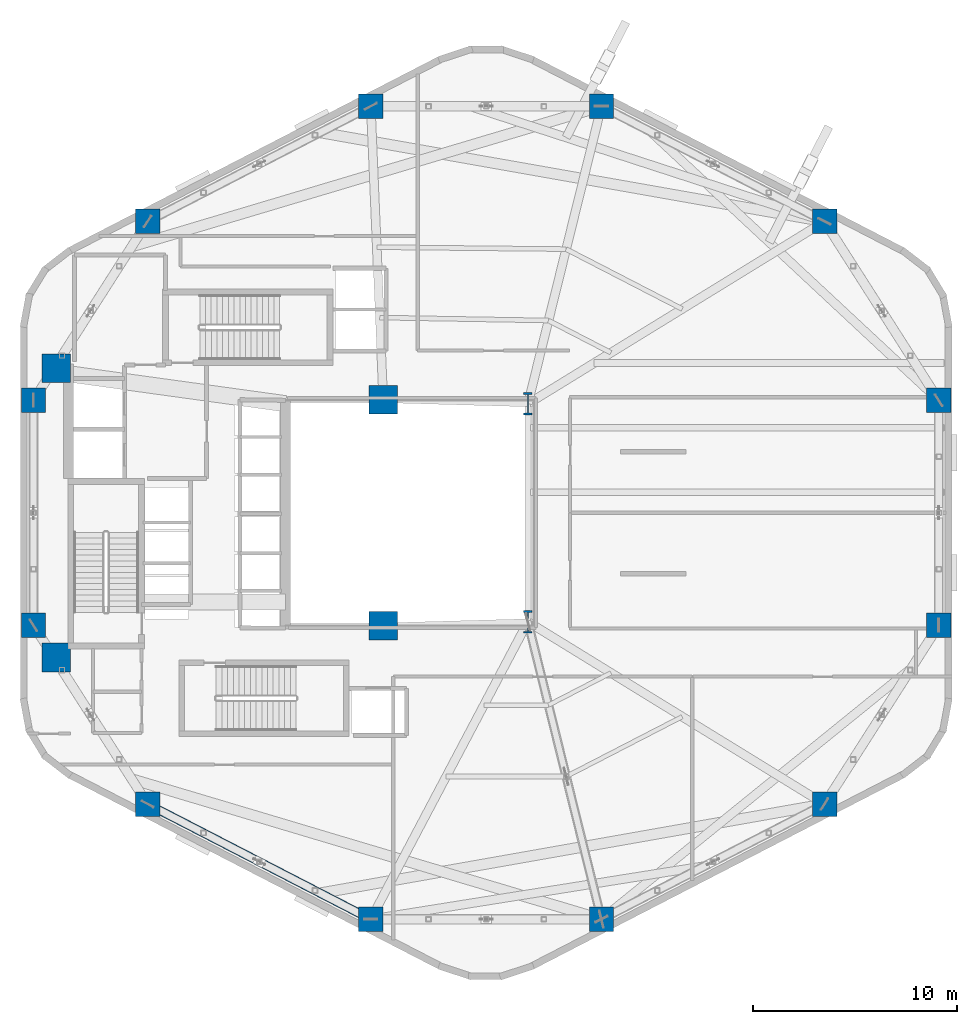
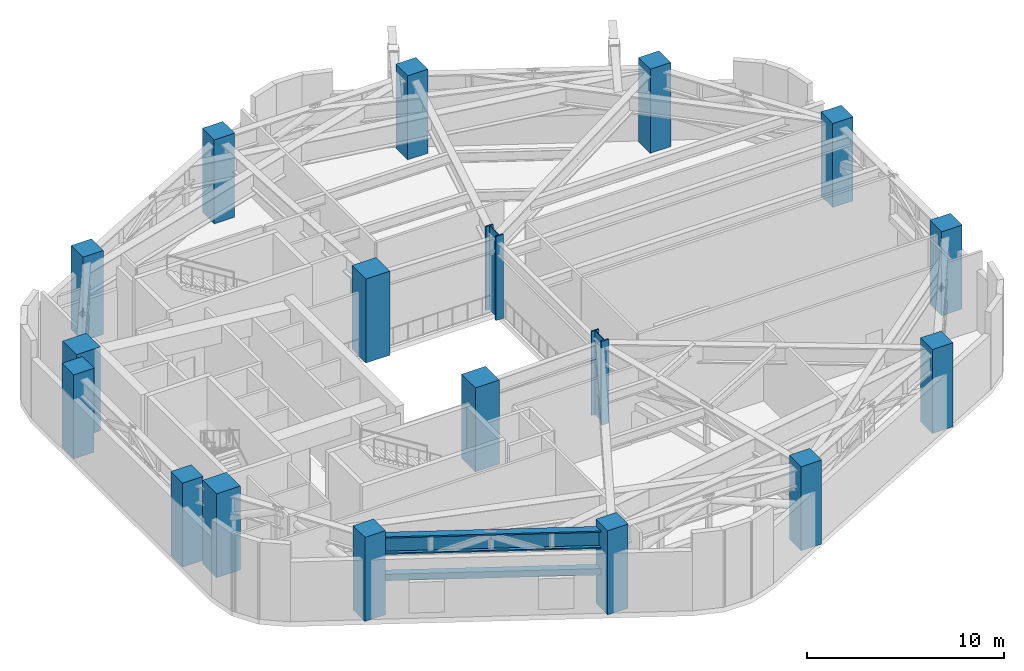
# One storey, part 1 of 14: 18 columns, 1 beam, 1 member.
"""IFC4 building model written with IfcOpenShell, lengths in metres."""

import ifcopenshell
import ifcopenshell.guid

model = None  # the IFC model being written
_history = None  # IfcOwnerHistory: only IFC2X3 demands one
_inside = {}  # id of a spatial element -> (the spatial element, [elements in it])
_under = {}  # id of a project, library or spatial element -> (it, [spatial elements below it])
_declared = {}  # id of a project -> (the project, [libraries it declares])
_typed = {}  # id of a type object -> (the type object, [elements of that type])
_made_of = {}  # id of a material, layer set ... -> (it, [elements and type objects made of it])


def new_model(schema):
    """Start an empty IFC model of exactly this schema.

    Asked for "IFC4X3", IfcOpenShell would pick the latest addendum, in which some entities
    have other attributes; the version numbers below select the first issue.
    IFC2X3 requires an IfcOwnerHistory on every rooted entity: one is made here for all.
    """
    global model, _history
    if schema == "IFC4X3":
        model = ifcopenshell.file(schema_version=(4, 3, 0, 0))
    else:
        model = ifcopenshell.file(schema=schema)
    _inside.clear()
    _under.clear()
    _declared.clear()
    _typed.clear()
    _made_of.clear()
    _history = None
    if model.schema == "IFC2X3":
        org = make("IfcOrganization", Name="unknown")
        user = make(
            "IfcPersonAndOrganization",
            ThePerson=make("IfcPerson", FamilyName="unknown"),
            TheOrganization=org,
        )
        app = make(
            "IfcApplication",
            ApplicationDeveloper=org,
            Version="unknown",
            ApplicationFullName="unknown",
            ApplicationIdentifier="unknown",
        )
        _history = make(
            "IfcOwnerHistory",
            OwningUser=user,
            OwningApplication=app,
            ChangeAction="ADDED",
            CreationDate=0,
        )
    return model


def make(cls, **values):
    """One entity of the class cls with the attributes given. An attribute that is None is left unset."""
    return model.create_entity(
        cls, **{name: value for name, value in values.items() if value is not None}
    )


def rooted(cls, **values):
    """An entity with a GlobalId (a new one), such as an element, a storey or a relation."""
    return make(cls, GlobalId=ifcopenshell.guid.new(), OwnerHistory=_history, **values)


def si_unit(unit_type, name, prefix=None):
    """IfcSIUnit, for example si_unit("LENGTHUNIT", "METRE", prefix="MILLI")."""
    return make("IfcSIUnit", UnitType=unit_type, Prefix=prefix, Name=name)


def assignment(units):
    """IfcUnitAssignment: the units of a project."""
    return None if units is None else make("IfcUnitAssignment", Units=units)


def point(xyz):
    """IfcCartesianPoint."""
    return None if xyz is None else make("IfcCartesianPoint", Coordinates=xyz)


def direction(xyz):
    """IfcDirection."""
    return None if xyz is None else make("IfcDirection", DirectionRatios=xyz)


def frame(location, z_axis=None, x_axis=None):
    """IfcAxis2Placement3D, a coordinate frame: its origin and axes. An axis left out is left unset."""
    return make(
        "IfcAxis2Placement3D",
        Location=point(location),
        Axis=direction(z_axis),
        RefDirection=direction(x_axis),
    )


def frame_2d(location, x_axis=None):
    """IfcAxis2Placement2D, a coordinate frame in the plane: its origin and x axis."""
    return make(
        "IfcAxis2Placement2D", Location=point(location), RefDirection=direction(x_axis)
    )


def origin():
    """The frame at (0, 0, 0) with its axes left unset."""
    return frame((0.0, 0.0, 0.0))


def origin_2d():
    """The frame at (0, 0) in the plane with its x axis left unset."""
    return frame_2d((0.0, 0.0))


def place(relative_to, where):
    """IfcLocalPlacement: puts the frame where relative to a parent placement (None: the world)."""
    return make(
        "IfcLocalPlacement", PlacementRelTo=relative_to, RelativePlacement=where
    )


def context(
    kind, dimensions, precision=None, world=None, true_north=None, identifier=None
):
    """IfcGeometricRepresentationContext, for example the 3D "Model" context."""
    return make(
        "IfcGeometricRepresentationContext",
        ContextIdentifier=identifier,
        ContextType=kind,
        CoordinateSpaceDimension=dimensions,
        Precision=precision,
        WorldCoordinateSystem=world,
        TrueNorth=true_north,
    )


def subcontext(parent, identifier, kind, view, scale=None):
    """IfcGeometricRepresentationSubContext, for example "Body" below "Model"."""
    return make(
        "IfcGeometricRepresentationSubContext",
        ContextIdentifier=identifier,
        ContextType=kind,
        ParentContext=parent,
        TargetScale=scale,
        TargetView=view,
    )


def project(units=None, contexts=None):
    """IfcProject with its units and contexts."""
    return rooted(
        "IfcProject",
        Name="project",
        RepresentationContexts=contexts,
        UnitsInContext=assignment(units),
    )


def spatial(cls, under=None, at=None, **own):
    """A site, building, storey or space (cls), placed at a placement, below another one or the project."""
    s = rooted(cls, ObjectPlacement=at, **own)
    if under is not None:
        _under.setdefault(under.id(), (under, []))[1].append(s)
    return s


def profile(cls, at=None, kind="AREA", **sizes):
    """A parametric profile (cls). Its sizes go by their IFC names, for example OverallWidth=200.0."""
    return make(cls, ProfileType=kind, Position=at, **sizes)


def rectangle(**sizes):
    """IfcRectangleProfileDef."""
    return profile("IfcRectangleProfileDef", **sizes)


def hollow_rectangle(**sizes):
    """IfcRectangleHollowProfileDef."""
    return profile("IfcRectangleHollowProfileDef", **sizes)


def i_section(**sizes):
    """IfcIShapeProfileDef."""
    return profile("IfcIShapeProfileDef", **sizes)


def extrude(swept, where, along, depth):
    """IfcExtrudedAreaSolid: the profile swept, set in the frame where, extruded along a direction by depth."""
    return make(
        "IfcExtrudedAreaSolid",
        SweptArea=swept,
        Position=where,
        ExtrudedDirection=direction(along),
        Depth=depth,
    )


def shape(context_of_items, identifier, shape_type, items):
    """IfcShapeRepresentation: the items that make up one representation, for example the "Body"."""
    return make(
        "IfcShapeRepresentation",
        ContextOfItems=context_of_items,
        RepresentationIdentifier=identifier,
        RepresentationType=shape_type,
        Items=items,
    )


def material(Name=None, Category=None):
    """IfcMaterial."""
    return make("IfcMaterial", Name=Name, Category=Category)


def material_profile(
    of_material, cross_section, Name=None, Category=None, Priority=None
):
    """IfcMaterialProfile: a cross section and its material."""
    return make(
        "IfcMaterialProfile",
        Name=Name,
        Material=of_material,
        Profile=cross_section,
        Priority=Priority,
        Category=Category,
    )


def profile_set(profiles, Name=None, composite=None):
    """IfcMaterialProfileSet."""
    return make(
        "IfcMaterialProfileSet",
        Name=Name,
        MaterialProfiles=profiles,
        CompositeProfile=composite,
    )


def made_of(thing, what):
    """Note that an element or type object is made of a material, layer set ...; save() writes the relation."""
    if what is not None:
        _made_of.setdefault(what.id(), (what, []))[1].append(thing)
    return thing


def type_object(cls, material=None, **own):
    """A type object (cls), such as IfcWallType, which elements share."""
    return made_of(rooted(cls, **own), material)


def element(
    cls,
    number,
    at=None,
    inside=None,
    cuts=None,
    type_object=None,
    material=None,
    context=None,
    identifier="Body",
    shape_type=None,
    held_by="IfcProductDefinitionShape",
    body=None,
    shapes=None,
    **own,
):
    """One element of the class cls, such as IfcWall. Its Tag is "e" and its number.

    at: its placement. inside: the storey or other place that contains it. cuts: it is an
    opening in that element (IfcRelVoidsElement). A single representation is given by context,
    identifier, shape_type and body (its items); several are given by shapes. held_by: the class
    of the entity that holds the representations. save() writes the other relations.
    """
    e = rooted(cls, Tag="e%d" % number, ObjectPlacement=at, **own)
    if body is not None:
        shapes = [shape(context, identifier, shape_type, body)]
    if shapes is not None:
        e.Representation = make(held_by, Representations=shapes)
    if inside is not None:
        _inside.setdefault(inside.id(), (inside, []))[1].append(e)
    if cuts is not None:
        rooted(
            "IfcRelVoidsElement", RelatingBuildingElement=cuts, RelatedOpeningElement=e
        )
    if type_object is not None:
        _typed.setdefault(type_object.id(), (type_object, []))[1].append(e)
    return made_of(e, material)


def aggregate(whole, parts):
    """IfcRelAggregates: a whole, such as a stair, and the parts it consists of."""
    return rooted("IfcRelAggregates", RelatingObject=whole, RelatedObjects=parts)


def save(model, path):
    """Write the relations noted so far, then the file.

    IfcRelAggregates (storeys below a building ...), IfcRelContainedInSpatialStructure (elements
    in a storey), IfcRelDefinesByType, IfcRelAssociatesMaterial and IfcRelDeclares: one each for
    every whole, place, type object, material and project.
    """
    for whole, parts in _under.values():
        aggregate(whole, parts)
    for where, things in _inside.values():
        rooted(
            "IfcRelContainedInSpatialStructure",
            RelatedElements=things,
            RelatingStructure=where,
        )
    for kind, things in _typed.values():
        rooted("IfcRelDefinesByType", RelatedObjects=things, RelatingType=kind)
    for what, things in _made_of.values():
        rooted("IfcRelAssociatesMaterial", RelatedObjects=things, RelatingMaterial=what)
    for by, libraries in _declared.values():
        rooted("IfcRelDeclares", RelatingContext=by, RelatedDefinitions=libraries)
    model.write(path)


model = new_model("IFC4")

# Units and contexts
model_context = context("Model", 3, precision=1e-05, world=origin(), true_north=direction((0.0, 1.0)))
body_context = subcontext(model_context, "Body", "Model", "MODEL_VIEW")
ifc_project = project(units=[si_unit("LENGTHUNIT", "METRE"), si_unit("AREAUNIT", "SQUARE_METRE"), si_unit("VOLUMEUNIT", "CUBIC_METRE"), si_unit("PLANEANGLEUNIT", "RADIAN"), si_unit("MASSUNIT", "GRAM", prefix="KILO"), si_unit("THERMODYNAMICTEMPERATUREUNIT", "KELVIN"), si_unit("POWERUNIT", "WATT")], contexts=[model_context])

# Site, building, storey
site_placement = place(None, origin())
site = spatial("IfcSite", under=ifc_project, at=site_placement, CompositionType="ELEMENT")
building_placement = place(site_placement, origin())
building = spatial("IfcBuilding", under=site, at=building_placement, Name="Skarre Station Tower", CompositionType="ELEMENT")
storey_placement = place(building_placement, frame((0.0, 0.0, 96.35009765625)))
storey = spatial("IfcBuildingStorey", under=building, at=storey_placement, Name="L25", CompositionType="ELEMENT", Elevation=96.35009765625)

# Columns
ifc_material_1 = material(Name="Concrete C60/75", Category="concrete")
ifc_material_profile_1 = material_profile(ifc_material_1, rectangle(XDim=1.199951171875, YDim=1.199951171875, at=origin_2d()), Name="Concrete C60/75")
ifc_profile_set_1 = profile_set([ifc_material_profile_1], Name="Concrete C60/75")
column_type_1 = type_object("IfcColumnType", Name="RC Structural Column RC-COL-1200X1200", PredefinedType="COLUMN", material=ifc_profile_set_1)
for number, where, z_axis, x_axis, name in (
    (1, (54.007080078125, 38.298095703125, 0.0), (0.0, 0.0, 1.0), (1.0, 0.0, 0.0), "L25 Zone 1 Perimeter Column F0C1"),
    (2, (43.06005859375, 43.947021484375, 0.0), (0.0, 0.0, 1.0), (1.0, 0.0, 0.0), "L25 Zone 1 Perimeter Column F0C2"),
    (3, (31.739990234375, 43.947021484375, 0.0), (0.0, 0.0, 1.0), (1.0, 0.0, 0.0), "L25 Zone 1 Perimeter Column F1C1"),
    (4, (20.79296875, 38.298095703125, 0.0), (0.0, 0.0, 1.0), (1.0, 0.0, 0.0), "L25 Zone 1 Perimeter Column F1C2"),
    (5, (15.18701171875, 29.52099609375, 0.0), (0.0, 0.0, 1.0), (1.0, 0.0, 0.0), "L25 Zone 1 Perimeter Column F2C1"),
    (6, (15.18701171875, 18.47900390625, 0.0), (0.0, 0.0, 1.0), (1.0, 0.0, 0.0), "L25 Zone 1 Perimeter Column F2C2"),
    (7, (20.79296875, 9.701904296875, 0.0), (0.0, 0.0, 1.0), (1.0, 0.0, 0.0), "L25 Zone 1 Perimeter Column F3C1"),
    (8, (31.739990234375, 4.052978515625, 0.0), (0.0, 0.0, 1.0), (1.0, 0.0, 0.0), "L25 Zone 1 Perimeter Column F3C2"),
    (9, (43.06005859375, 4.052978515625, 0.0), (0.0, 0.0, 1.0), (1.0, 0.0, 0.0), "L25 Zone 1 Perimeter Column F4C1"),
    (10, (54.007080078125, 9.701904296875, 0.0), (0.0, 0.0, 1.0), (1.0, 0.0, 0.0), "L25 Zone 1 Perimeter Column F4C2"),
    (11, (59.613037109375, 18.47900390625, 0.0), (0.0, 0.0, 1.0), (1.0, 0.0, 0.0), "L25 Zone 1 Perimeter Column F5C1"),
    (12, (59.613037109375, 29.52099609375, 0.0), (0.0, 0.0, 1.0), (1.0, 0.0, 0.0), "L25 Zone 1 Perimeter Column F5C2"),
):
    element("IfcColumn", number, at=place(storey_placement, frame(where, z_axis=z_axis, x_axis=x_axis)), inside=storey, type_object=column_type_1, Name=name, PredefinedType="COLUMN", context=body_context, shape_type="SweptSolid", body=[
        extrude(rectangle(XDim=1.199951171875, YDim=1.199951171875, at=origin_2d()), origin(), (0.0, 0.0, 1.0), 5.199951171875),
    ])
ifc_material_2 = material(Name="Concrete C70/85", Category="concrete")
ifc_material_profile_2 = material_profile(ifc_material_2, rectangle(XDim=1.39990234375, YDim=1.39990234375, at=origin_2d()), Name="Concrete C70/85")
ifc_profile_set_2 = profile_set([ifc_material_profile_2], Name="Concrete C70/85")
column_type_2 = type_object("IfcColumnType", Name="RC Structural Column RC-COL-1400X1400", PredefinedType="COLUMN", material=ifc_profile_set_2)
for number, where, z_axis, x_axis, name in (
    (13, (16.300048828125, 16.89990234375, 0.0), (0.0, 0.0, 1.0), (1.0, 0.0, 0.0), "L25 Core Column CC-SW"),
    (14, (16.300048828125, 31.10009765625, 0.0), (0.0, 0.0, 1.0), (1.0, 0.0, 0.0), "L25 Core Column CC-NW"),
    (15, (32.35009765625, 18.449951171875, 0.0), (0.0, 0.0, 1.0), (1.0, 0.0, 0.0), "L25 Core Column CC-SE"),
    (16, (32.35009765625, 29.550048828125, 0.0), (0.0, 0.0, 1.0), (1.0, 0.0, 0.0), "L25 Core Column CC-NE"),
):
    element("IfcColumn", number, at=place(storey_placement, frame(where, z_axis=z_axis, x_axis=x_axis)), inside=storey, type_object=column_type_2, Name=name, PredefinedType="COLUMN", context=body_context, shape_type="SweptSolid", body=[
        extrude(rectangle(XDim=1.39990234375, YDim=1.39990234375, at=origin_2d()), origin(), (0.0, 0.0, 1.0), 5.199951171875),
    ])
ifc_material_3 = material(Name="Steel ASTM A913 Grade 65", Category="steel")
ifc_material_profile_3 = material_profile(ifc_material_3, i_section(OverallWidth=0.424072265625, OverallDepth=1.092041015625, WebThickness=0.044921875, FlangeThickness=0.08203125, at=origin_2d()), Name="Steel ASTM A913 Grade 65")
ifc_profile_set_3 = profile_set([ifc_material_profile_3], Name="Steel ASTM A913 Grade 65")
column_type_3 = type_object("IfcColumnType", Name="Steel Column W40X593", PredefinedType="COLUMN", material=ifc_profile_set_3)
for number, where, z_axis, x_axis, name in (
    (17, (39.449951171875, 18.64990234375, 0.0), (0.0, 0.0, 1.0), (1.0, 0.0, 0.0), "L25 Atrium Spine Column AC-SE"),
    (18, (39.449951171875, 29.35009765625, 0.0), (0.0, 0.0, 1.0), (1.0, 0.0, 0.0), "L25 Atrium Spine Column AC-NE"),
):
    element("IfcColumn", number, at=place(storey_placement, frame(where, z_axis=z_axis, x_axis=x_axis)), inside=storey, type_object=column_type_3, Name=name, PredefinedType="COLUMN", context=body_context, shape_type="SweptSolid", body=[
        extrude(i_section(OverallWidth=0.424072265625, OverallDepth=1.092041015625, WebThickness=0.044921875, FlangeThickness=0.08203125, at=origin_2d()), origin(), (0.0, 0.0, 1.0), 5.199951171875),
    ])

# Beam
ifc_material_profile_4 = material_profile(ifc_material_3, i_section(OverallWidth=0.424072265625, OverallDepth=1.092041015625, WebThickness=0.044921875, FlangeThickness=0.08203125, at=origin_2d()), Name="Steel ASTM A913 Grade 65")
ifc_profile_set_4 = profile_set([ifc_material_profile_4], Name="Steel ASTM A913 Grade 65")
beam_type = type_object("IfcBeamType", Name="Steel Heavy Spandrel W40X593", PredefinedType="SPANDREL", material=ifc_profile_set_4)
beam_placement = place(storey_placement, frame((20.79296875, 9.701904296875, 4.23388671875), z_axis=(0.888658695823, -0.458569212158, 0.0), x_axis=(0.458569212158, 0.888658695823, 0.0)))
element("IfcBeam", 19, at=beam_placement, inside=storey, type_object=beam_type, Name="L25 Facet Spandrel Beam 7", PredefinedType="SPANDREL", context=body_context, shape_type="SweptSolid", body=[
    extrude(i_section(OverallWidth=0.424072265625, OverallDepth=1.092041015625, WebThickness=0.044921875, FlangeThickness=0.08203125, at=origin_2d()), origin(), (0.0, 0.0, 1.0), 12.318603515625),
])

# Member
ifc_material_4 = material(Name="Steel ASTM A500 Grade C", Category="steel")
ifc_material_profile_5 = material_profile(ifc_material_4, hollow_rectangle(XDim=0.39990234375, YDim=0.39990234375, WallThickness=0.02197265625, at=origin_2d()), Name="Steel ASTM A500 Grade C")
ifc_profile_set_5 = profile_set([ifc_material_profile_5], Name="Steel ASTM A500 Grade C")
member_type = type_object("IfcMemberType", Name="Steel Truss Chord HSS400X400X22", PredefinedType="CHORD", material=ifc_profile_set_5)
member_placement = place(storey_placement, frame((20.79296875, 9.701904296875, 2.25), z_axis=(0.888658695823, -0.458569212158, 0.0), x_axis=(0.458569212158, 0.888658695823, 0.0)))
element("IfcMember", 20, at=member_placement, inside=storey, type_object=member_type, Name="L25 Belt Truss Bottom Chord 7", PredefinedType="CHORD", context=body_context, shape_type="SweptSolid", body=[
    extrude(hollow_rectangle(XDim=0.39990234375, YDim=0.39990234375, WallThickness=0.02197265625, at=origin_2d()), origin(), (0.0, 0.0, 1.0), 12.318603515625),
])

save(model, "model.ifc")
